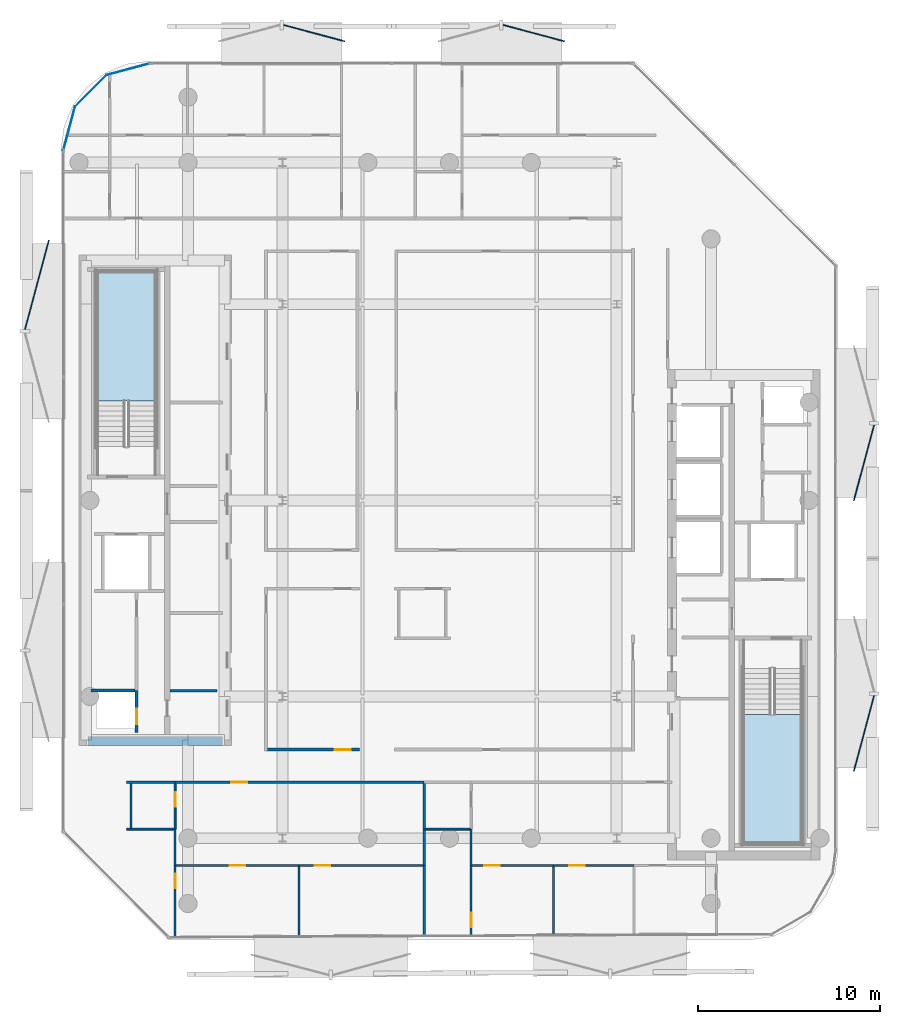
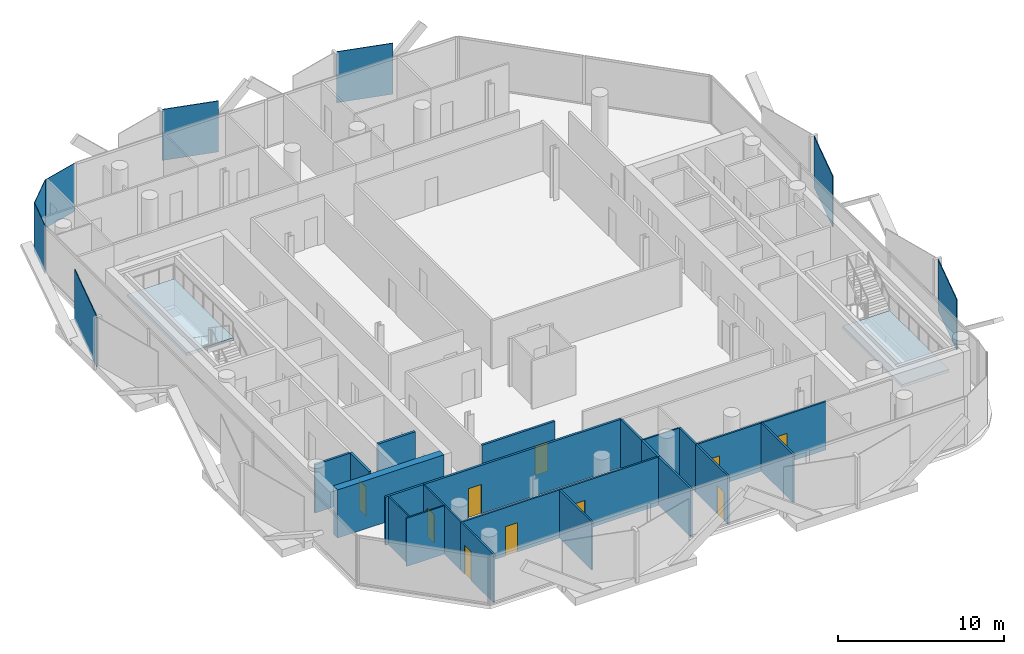
# One storey, part 4 of 15: 24 walls, 10 doors, 8 plates, 2 slabs, 10 openings, 2 elements without a shape of their own.
"""IFC4 building model written with IfcOpenShell, lengths in metres."""

from ifc_helpers import new_model, si_unit, direction, frame, frame_2d, origin, origin_2d, place, context, subcontext, project, spatial, polyline, rectangle, outline, extrude, material, layer, layer_set, type_object, element, fill, aggregate, save


model = new_model("IFC4")

# Units and contexts
model_context = context("Model", 3, precision=1e-05, world=origin(), true_north=direction((0.0, 1.0)))
body_context = subcontext(model_context, "Body", "Model", "MODEL_VIEW")
ifc_project = project(units=[si_unit("LENGTHUNIT", "METRE"), si_unit("AREAUNIT", "SQUARE_METRE"), si_unit("VOLUMEUNIT", "CUBIC_METRE"), si_unit("PLANEANGLEUNIT", "RADIAN"), si_unit("MASSUNIT", "GRAM", prefix="KILO")], contexts=[model_context])

# Site, building, storey
site_placement = place(None, origin())
site = spatial("IfcSite", under=ifc_project, at=site_placement, CompositionType="ELEMENT")
building_placement = place(site_placement, origin())
building = spatial("IfcBuilding", under=site, at=building_placement, Name="Khairoan Windgate Tower", CompositionType="ELEMENT")
storey_placement = place(building_placement, frame((0.0, 0.0, 285.199951171875)))
storey = spatial("IfcBuildingStorey", under=building, at=storey_placement, Name="L68", CompositionType="ELEMENT", Elevation=285.199951171875)

# Plates
ifc_material_1 = material(Name="Low-E Solar Control Laminated Glass", Category="glass")
ifc_layer_1 = layer(ifc_material_1, 0.030029296875, Name="Low-E Solar Control Laminated Glass")
ifc_layer_set_1 = layer_set([ifc_layer_1], Name="Low-E Solar Control Laminated Glass")
plate_type_1 = type_object("IfcPlateType", Name="Aerodynamic Wind-Corner Curved Glazing Plate", PredefinedType="USERDEFINED", material=ifc_layer_set_1)
plate_1_placement = place(storey_placement, frame((-20.940673828125, 20.485107421875, 0.0), z_axis=(0.0, 0.0, 1.0), x_axis=(0.258313252067, 0.966061211211, 0.0)))
element("IfcPlate", 1, at=plate_1_placement, inside=storey, type_object=plate_type_1, Name="L68 Aerodynamic Wind-Corner Curved Glazing Panel 4", ObjectType="GLAZING PANEL", PredefinedType="USERDEFINED", context=body_context, shape_type="SweptSolid", body=[
    extrude(rectangle(XDim=2.512451171875, YDim=0.035888671875, at=origin_2d()), origin(), (0.0, 0.0, 1.0), 3.5400390625),
])
plate_2_placement = place(storey_placement, frame((-19.750244140625, 22.55029296875, 0.0), z_axis=(0.0, 0.0, 1.0), x_axis=(0.707106781187, 0.707106781187, 0.0)))
element("IfcPlate", 2, at=plate_2_placement, inside=storey, type_object=plate_type_1, Name="L68 Aerodynamic Wind-Corner Curved Glazing Panel 5", ObjectType="GLAZING PANEL", PredefinedType="USERDEFINED", context=body_context, shape_type="SweptSolid", body=[
    extrude(rectangle(XDim=2.50341796875, YDim=0.035888671875, at=origin_2d()), origin(), (0.0, 0.0, 1.0), 3.5400390625),
])
plate_3_placement = place(storey_placement, frame((-17.68505859375, 23.740478515625, 0.0), z_axis=(0.0, 0.0, 1.0), x_axis=(0.966061211211, 0.258313252067, 0.0)))
element("IfcPlate", 3, at=plate_3_placement, inside=storey, type_object=plate_type_1, Name="L68 Aerodynamic Wind-Corner Curved Glazing Panel 6", ObjectType="GLAZING PANEL", PredefinedType="USERDEFINED", context=body_context, shape_type="SweptSolid", body=[
    extrude(rectangle(XDim=2.512451171875, YDim=0.035888671875, at=origin_2d()), origin(), (0.0, 0.0, 1.0), 3.5400390625),
])
ifc_material_2 = material(Name="Anodised Bronze Aluminium 6063-T6", Category="aluminium")
ifc_layer_2 = layer(ifc_material_2, 0.054931640625, Name="Anodised Bronze Aluminium 6063-T6")
ifc_layer_set_2 = layer_set([ifc_layer_2], Name="Anodised Bronze Aluminium 6063-T6")
plate_type_2 = type_object("IfcPlateType", Name="Perforated Bronze Solar Screen Upper Panel BSP-2", PredefinedType="USERDEFINED", material=ifc_layer_set_2)
plate_4_placement = place(storey_placement, frame((-22.720703125, 11.85791015625, -0.10009765625), z_axis=(0.0, 0.0, 1.0), x_axis=(0.258819045103, 0.965925826289, 0.0)))
element("IfcPlate", 4, at=plate_4_placement, inside=storey, type_object=plate_type_2, Name="L68 Perforated Bronze Solar Screen Panel 473R", ObjectType="SCREEN", PredefinedType="USERDEFINED", context=body_context, shape_type="SweptSolid", body=[
    extrude(rectangle(XDim=5.093994140625, YDim=0.054931640625, at=origin_2d()), origin(), (0.0, 0.0, 1.0), 3.739990234375),
])
for number, where, z_axis, x_axis, name in (
    (5, (-7.45849609375, 25.72607421875, -0.10009765625), (0.0, 0.0, 1.0), (0.965925826289, -0.258819045103, 0.0), "L68 Perforated Bronze Solar Screen Panel 474R"),
    (6, (4.637939453125, 25.72607421875, -0.10009765625), (0.0, 0.0, 1.0), (0.965925826289, -0.258819045103, 0.0), "L68 Perforated Bronze Solar Screen Panel 475R"),
):
    element("IfcPlate", number, at=place(storey_placement, frame(where, z_axis=z_axis, x_axis=x_axis)), inside=storey, type_object=plate_type_2, Name=name, ObjectType="SCREEN", PredefinedType="USERDEFINED", context=body_context, shape_type="SweptSolid", body=[
        extrude(rectangle(XDim=3.508056640625, YDim=0.054931640625, at=origin_2d()), origin(), (0.0, 0.0, 1.0), 3.739990234375),
    ])
for number, where, z_axis, x_axis, name in (
    (7, (22.821044921875, 2.077392578125, -0.10009765625), (0.0, 0.0, 1.0), (-0.258819045103, -0.965925826289, 0.0), "L68 Perforated Bronze Solar Screen Panel 476R"),
    (8, (22.821044921875, -12.819091796875, -0.10009765625), (0.0, 0.0, 1.0), (-0.258819045103, -0.965925826289, 0.0), "L68 Perforated Bronze Solar Screen Panel 477R"),
):
    element("IfcPlate", number, at=place(storey_placement, frame(where, z_axis=z_axis, x_axis=x_axis)), inside=storey, type_object=plate_type_2, Name=name, ObjectType="SCREEN", PredefinedType="USERDEFINED", context=body_context, shape_type="SweptSolid", body=[
        extrude(rectangle(XDim=4.320068359375, YDim=0.054931640625, at=origin_2d()), origin(), (0.0, 0.0, 1.0), 3.739990234375),
    ])

# Stair, slab
ifc_material_3 = material(Name="Concrete C40/50", Category="concrete")
stair_type = type_object("IfcStairType", Name="Tower Core Dog-Leg Stair ST-T1 1560mm", PredefinedType="HALF_TURN_STAIR", material=ifc_material_3)
stair_1_placement = place(storey_placement, origin())
stair_1 = element("IfcStair", 9, at=stair_1_placement, inside=storey, type_object=stair_type, Name="L68 Stair ST1", PredefinedType="HALF_TURN_STAIR")
ifc_material_4 = material(Name="Concrete C40/50", Category="concrete")
ifc_layer_3 = layer(ifc_material_4, 0.199951171875, Name="Concrete C40/50")
ifc_layer_set_3 = layer_set([ifc_layer_3], Name="Concrete C40/50")
slab_type = type_object("IfcSlabType", Name="Reinforced Concrete Stair Landing Slab STL-200", PredefinedType="LANDING", material=ifc_layer_set_3)
slab_1_placement = place(storey_placement, frame((0.0, 0.0, 1.699951171875)))
slab_1 = element("IfcSlab", 10, at=slab_1_placement, type_object=slab_type, Name="ST1 landing 1", PredefinedType="LANDING", context=body_context, shape_type="SweptSolid", body=[
    extrude(outline(polyline([(16.14990234375, -11.780029296875), (16.14990234375, -18.89990234375), (19.419921875, -18.89990234375), (19.419921875, -11.780029296875), (16.14990234375, -11.780029296875)])), origin(), (0.0, 0.0, 1.0), 0.2001953125),
])
aggregate(stair_1, [slab_1])

stair_2_placement = place(storey_placement, origin())
stair_2 = element("IfcStair", 11, at=stair_2_placement, inside=storey, type_object=stair_type, Name="L68 Stair ST2", PredefinedType="HALF_TURN_STAIR")
slab_2_placement = place(storey_placement, frame((0.0, 0.0, 1.699951171875)))
slab_2 = element("IfcSlab", 12, at=slab_2_placement, type_object=slab_type, Name="ST2 landing 1", PredefinedType="LANDING", context=body_context, shape_type="SweptSolid", body=[
    extrude(outline(polyline([(-16.14990234375, 5.47998046875), (-16.14990234375, 12.60009765625), (-19.419921875, 12.60009765625), (-19.419921875, 5.47998046875), (-16.14990234375, 5.47998046875)])), origin(), (0.0, 0.0, 1.0), 0.2001953125),
])
aggregate(stair_2, [slab_2])

# Wall
ifc_material_5 = material(Name="Moisture-Resistant Gypsum Partition", Category="gypsum")
ifc_layer_4 = layer(ifc_material_5, 0.10009765625, Name="Moisture-Resistant Gypsum Partition")
ifc_layer_set_4 = layer_set([ifc_layer_4], Name="Moisture-Resistant Gypsum Partition")
wall_type_1 = type_object("IfcWallType", Name="Bathroom Wet-Area Partition Wall", PredefinedType="PARTITIONING", material=ifc_layer_set_4)
wall_1_placement = place(storey_placement, frame((-17.780029296875, -18.10009765625, 0.0), z_axis=(0.0, 0.0, 1.0), x_axis=(1.0, 0.0, 0.0)))
element("IfcWall", 13, at=wall_1_placement, inside=storey, type_object=wall_type_1, Name="L68 Interior Partition 056", PredefinedType="PARTITIONING", context=body_context, shape_type="SweptSolid", body=[
    extrude(rectangle(XDim=2.6201171875, YDim=0.10009765625, at=frame_2d((1.31005859375, 0.0))), origin(), (0.0, 0.0, 1.0), 3.5400390625),
])

# Wall, opening, door
wall_2_placement = place(storey_placement, frame((-15.110107421875, -18.10009765625, 0.0), z_axis=(0.0, 0.0, 1.0), x_axis=(0.0, 1.0, 0.0)))
wall_2 = element("IfcWall", 14, at=wall_2_placement, inside=storey, type_object=wall_type_1, Name="L68 Interior Partition 057", PredefinedType="PARTITIONING", context=body_context, shape_type="SweptSolid", body=[
    extrude(rectangle(XDim=2.5, YDim=0.10009765625, at=frame_2d((1.25, 0.0))), origin(), (0.0, 0.0, 1.0), 3.5400390625),
])
opening_1_placement = place(wall_2_placement, frame((1.239990234375, 0.0, 0.0)))
opening_1 = element("IfcOpeningElement", 15, at=opening_1_placement, cuts=wall_2, Name="Opening ID-BTH", PredefinedType="OPENING", context=body_context, shape_type="SweptSolid", body=[
    extrude(rectangle(XDim=0.800048828125, YDim=2.10009765625, at=frame_2d((0.39990234375, 1.050048828125))), frame((0.0, 0.06005859375, 0.0), z_axis=(0.0, -1.0, 0.0), x_axis=(1.0, 0.0, 0.0)), (0.0, 0.0, 1.0), 0.1201171875),
])
ifc_material_6 = material(Name="Teak Veneer Timber Leaf", Category="wood")
door_type_1 = type_object("IfcDoorType", Name="Internal Bathroom Door ID-BTH 800x2100", OperationType="NOTDEFINED", PredefinedType="DOOR", material=ifc_material_6)
door_1_placement = place(opening_1_placement, origin())
door_1 = element("IfcDoor", 16, at=door_1_placement, inside=storey, type_object=door_type_1, Name="L68 L68-45-L68-47 Door", OperationType="SINGLE_SWING_RIGHT", OverallHeight=2.10009765625, OverallWidth=0.800048828125, PredefinedType="DOOR", context=body_context, shape_type="SweptSolid", body=[
    extrude(rectangle(XDim=0.800048828125, YDim=2.10009765625, at=frame_2d((0.39990234375, 1.050048828125))), frame((0.0, 0.02490234375, 0.0), z_axis=(0.0, -1.0, 0.0), x_axis=(1.0, 0.0, 0.0)), (0.0, 0.0, 1.0), 0.050048828125),
])
fill(opening_1, door_1)

# Walls
wall_3_placement = place(storey_placement, frame((-1.330078125, -18.10009765625, 0.0), z_axis=(0.0, 0.0, 1.0), x_axis=(1.0, 0.0, 0.0)))
element("IfcWall", 17, at=wall_3_placement, inside=storey, type_object=wall_type_1, Name="L68 Interior Partition 066", PredefinedType="PARTITIONING", context=body_context, shape_type="SweptSolid", body=[
    extrude(rectangle(XDim=2.469970703125, YDim=0.10009765625, at=frame_2d((1.23486328125, 0.0))), origin(), (0.0, 0.0, 1.0), 3.5400390625),
])
wall_4_placement = place(storey_placement, frame((-17.5400390625, -18.050048828125, 0.0), z_axis=(0.0, 0.0, 1.0), x_axis=(0.0, 1.0, 0.0)))
element("IfcWall", 18, at=wall_4_placement, inside=storey, type_object=wall_type_1, Name="L68 Wet Room Side Wall 078", PredefinedType="PARTITIONING", context=body_context, shape_type="SweptSolid", body=[
    extrude(rectangle(XDim=2.449951171875, YDim=0.10009765625, at=frame_2d((1.22509765625, 0.0))), origin(), (0.0, 0.0, 1.0), 3.5400390625),
])
ifc_material_7 = material(Name="Concrete C40/50", Category="concrete")
ifc_layer_5 = layer(ifc_material_7, 0.159912109375, Name="Concrete C40/50")
ifc_layer_set_5 = layer_set([ifc_layer_5], Name="Concrete C40/50")
wall_type_2 = type_object("IfcWallType", Name="Core and Hoistway Enclosure Wall", PredefinedType="STANDARD", material=ifc_layer_set_5)
wall_5_placement = place(storey_placement, frame((-15.39990234375, -10.47998046875, 0.0), z_axis=(0.0, 0.0, 1.0), x_axis=(1.0, 0.0, 0.0)))
element("IfcWall", 19, at=wall_5_placement, inside=storey, type_object=wall_type_2, Name="L68 Core Shaft Wall SW-WSV-L68", PredefinedType="STANDARD", context=body_context, shape_type="SweptSolid", body=[
    extrude(rectangle(XDim=2.599853515625, YDim=0.159912109375, at=frame_2d((1.2998046875, 0.0))), origin(), (0.0, 0.0, 1.0), 3.5400390625),
])
ifc_material_8 = material(Name="Acoustic Fire-Rated Gypsum Partition", Category="gypsum")
ifc_layer_6 = layer(ifc_material_8, 0.139892578125, Name="Acoustic Fire-Rated Gypsum Partition")
ifc_layer_set_6 = layer_set([ifc_layer_6], Name="Acoustic Fire-Rated Gypsum Partition")
wall_type_3 = type_object("IfcWallType", Name="Inter-Tenancy Compartment Wall", PredefinedType="PARTITIONING", material=ifc_layer_set_6)
wall_6_placement = place(storey_placement, frame((-1.39990234375, -18.10009765625, 0.0), z_axis=(0.0, 0.0, 1.0), x_axis=(0.0, 1.0, 0.0)))
element("IfcWall", 20, at=wall_6_placement, inside=storey, type_object=wall_type_3, Name="L68 Interior Partition 062", PredefinedType="PARTITIONING", context=body_context, shape_type="SweptSolid", body=[
    extrude(rectangle(XDim=2.5, YDim=0.139892578125, at=frame_2d((1.25, 0.0))), origin(), (0.0, 0.0, 1.0), 3.5400390625),
])
wall_7_placement = place(storey_placement, frame((-1.39990234375, -20.10009765625, 0.0), z_axis=(0.0, 0.0, 1.0), x_axis=(0.0, 1.0, 0.0)))
element("IfcWall", 21, at=wall_7_placement, inside=storey, type_object=wall_type_3, Name="L68 Interior Partition 063", PredefinedType="PARTITIONING", context=body_context, shape_type="SweptSolid", body=[
    extrude(rectangle(XDim=2.0, YDim=0.139892578125, at=frame_2d((1.0, 0.0))), origin(), (0.0, 0.0, 1.0), 3.5400390625),
])
wall_8_placement = place(storey_placement, frame((-1.39990234375, -23.98583984375, 0.0), z_axis=(0.0, 0.0, 1.0), x_axis=(0.0, 1.0, 0.0)))
element("IfcWall", 22, at=wall_8_placement, inside=storey, type_object=wall_type_3, Name="L68 Interior Partition 065", PredefinedType="PARTITIONING", context=body_context, shape_type="SweptSolid", body=[
    extrude(rectangle(XDim=3.8857421875, YDim=0.139892578125, at=frame_2d((1.94287109375, 0.0))), origin(), (0.0, 0.0, 1.0), 3.5400390625),
])
ifc_material_9 = material(Name="Gypsum Stud Partition", Category="gypsum")
ifc_layer_7 = layer(ifc_material_9, 0.1201171875, Name="Gypsum Stud Partition")
ifc_layer_set_7 = layer_set([ifc_layer_7], Name="Gypsum Stud Partition")
wall_type_4 = type_object("IfcWallType", Name="Internal Room Partition Wall", PredefinedType="PARTITIONING", material=ifc_layer_set_7)
wall_9_placement = place(storey_placement, frame((-15.110107421875, -20.10009765625, 0.0), z_axis=(0.0, 0.0, 1.0), x_axis=(0.0, 1.0, 0.0)))
element("IfcWall", 23, at=wall_9_placement, inside=storey, type_object=wall_type_4, Name="L68 Interior Partition 058", PredefinedType="PARTITIONING", context=body_context, shape_type="SweptSolid", body=[
    extrude(rectangle(XDim=2.0, YDim=0.1201171875, at=frame_2d((1.0, 0.0))), origin(), (0.0, 0.0, 1.0), 3.5400390625),
])

# Wall, opening, door
wall_10_placement = place(storey_placement, frame((-15.110107421875, -24.053466796875, 0.0), z_axis=(0.0, 0.0, 1.0), x_axis=(0.0, 1.0, 0.0)))
wall_10 = element("IfcWall", 24, at=wall_10_placement, inside=storey, type_object=wall_type_4, Name="L68 Interior Partition 059", PredefinedType="PARTITIONING", context=body_context, shape_type="SweptSolid", body=[
    extrude(rectangle(XDim=3.953369140625, YDim=0.1201171875, at=frame_2d((1.9765625, 0.0))), origin(), (0.0, 0.0, 1.0), 3.5400390625),
])
opening_2_placement = place(wall_10_placement, frame((2.693359375, 0.0, 0.0)))
opening_2 = element("IfcOpeningElement", 25, at=opening_2_placement, cuts=wall_10, Name="Opening ID-BTH", PredefinedType="OPENING", context=body_context, shape_type="SweptSolid", body=[
    extrude(rectangle(XDim=0.800048828125, YDim=2.10009765625, at=frame_2d((0.39990234375, 1.050048828125))), frame((0.0, 0.070068359375, 0.0), z_axis=(0.0, -1.0, 0.0), x_axis=(1.0, 0.0, 0.0)), (0.0, 0.0, 1.0), 0.14013671875),
])
door_2_placement = place(opening_2_placement, origin())
door_2 = element("IfcDoor", 26, at=door_2_placement, inside=storey, type_object=door_type_1, Name="L68 L68-46-L68-48 Door", OperationType="SINGLE_SWING_RIGHT", OverallHeight=2.10009765625, OverallWidth=0.800048828125, PredefinedType="DOOR", context=body_context, shape_type="SweptSolid", body=[
    extrude(rectangle(XDim=0.800048828125, YDim=2.10009765625, at=frame_2d((0.39990234375, 1.050048828125))), frame((0.0, 0.02490234375, 0.0), z_axis=(0.0, -1.0, 0.0), x_axis=(1.0, 0.0, 0.0)), (0.0, 0.0, 1.0), 0.050048828125),
])
fill(opening_2, door_2)

wall_11_placement = place(storey_placement, frame((-15.050048828125, -20.10009765625, 0.0), z_axis=(0.0, 0.0, 1.0), x_axis=(1.0, 0.0, 0.0)))
wall_11 = element("IfcWall", 27, at=wall_11_placement, inside=storey, type_object=wall_type_4, Name="L68 Interior Partition 060", PredefinedType="PARTITIONING", context=body_context, shape_type="SweptSolid", body=[
    extrude(rectangle(XDim=6.755126953125, YDim=0.1201171875, at=frame_2d((3.37744140625, 0.0))), origin(), (0.0, 0.0, 1.0), 3.5400390625),
])
opening_3_placement = place(wall_11_placement, frame((2.947509765625, 0.0, 0.0)))
opening_3 = element("IfcOpeningElement", 28, at=opening_3_placement, cuts=wall_11, Name="Opening ID-RM", PredefinedType="OPENING", context=body_context, shape_type="SweptSolid", body=[
    extrude(rectangle(XDim=0.860107421875, YDim=2.14990234375, at=frame_2d((0.43017578125, 1.074951171875))), frame((0.0, 0.070068359375, 0.0), z_axis=(0.0, -1.0, 0.0), x_axis=(1.0, 0.0, 0.0)), (0.0, 0.0, 1.0), 0.14013671875),
])
ifc_material_10 = material(Name="Teak Veneer Timber Leaf", Category="wood")
door_type_2 = type_object("IfcDoorType", Name="Internal Bedroom and Office Door ID-RM 860x2150", OperationType="NOTDEFINED", PredefinedType="DOOR", material=ifc_material_10)
door_3_placement = place(opening_3_placement, origin())
door_3 = element("IfcDoor", 29, at=door_3_placement, inside=storey, type_object=door_type_2, Name="L68 L68-47-L68-48 Door", OperationType="SINGLE_SWING_RIGHT", OverallHeight=2.14990234375, OverallWidth=0.860107421875, PredefinedType="DOOR", context=body_context, shape_type="SweptSolid", body=[
    extrude(rectangle(XDim=0.860107421875, YDim=2.14990234375, at=frame_2d((0.43017578125, 1.074951171875))), frame((0.0, 0.02490234375, 0.0), z_axis=(0.0, -1.0, 0.0), x_axis=(1.0, 0.0, 0.0)), (0.0, 0.0, 1.0), 0.050048828125),
])
fill(opening_3, door_3)

wall_12_placement = place(storey_placement, frame((-8.294921875, -20.10009765625, 0.0), z_axis=(0.0, 0.0, 1.0), x_axis=(1.0, 0.0, 0.0)))
wall_12 = element("IfcWall", 30, at=wall_12_placement, inside=storey, type_object=wall_type_4, Name="L68 Interior Partition 061", PredefinedType="PARTITIONING", context=body_context, shape_type="SweptSolid", body=[
    extrude(rectangle(XDim=6.824951171875, YDim=0.1201171875, at=frame_2d((3.41259765625, 0.0))), origin(), (0.0, 0.0, 1.0), 3.5400390625),
])
opening_4_placement = place(wall_12_placement, frame((0.863525390625, 0.0, 0.0)))
opening_4 = element("IfcOpeningElement", 31, at=opening_4_placement, cuts=wall_12, Name="Opening ID-RM", PredefinedType="OPENING", context=body_context, shape_type="SweptSolid", body=[
    extrude(rectangle(XDim=0.860107421875, YDim=2.14990234375, at=frame_2d((0.43017578125, 1.074951171875))), frame((0.0, 0.070068359375, 0.0), z_axis=(0.0, -1.0, 0.0), x_axis=(1.0, 0.0, 0.0)), (0.0, 0.0, 1.0), 0.14013671875),
])
door_4_placement = place(opening_4_placement, origin())
door_4 = element("IfcDoor", 32, at=door_4_placement, inside=storey, type_object=door_type_2, Name="L68 L68-47-L68-49 Door", OperationType="SINGLE_SWING_LEFT", OverallHeight=2.14990234375, OverallWidth=0.860107421875, PredefinedType="DOOR", context=body_context, shape_type="SweptSolid", body=[
    extrude(rectangle(XDim=0.860107421875, YDim=2.14990234375, at=frame_2d((0.43017578125, 1.074951171875))), frame((0.0, 0.02490234375, 0.0), z_axis=(0.0, -1.0, 0.0), x_axis=(1.0, 0.0, 0.0)), (0.0, 0.0, 1.0), 0.050048828125),
])
fill(opening_4, door_4)

# Walls
wall_13_placement = place(storey_placement, frame((-8.294921875, -24.019775390625, 0.0), z_axis=(0.0, 0.0, 1.0), x_axis=(0.0, 1.0, 0.0)))
element("IfcWall", 33, at=wall_13_placement, inside=storey, type_object=wall_type_4, Name="L68 Interior Partition 064", PredefinedType="PARTITIONING", context=body_context, shape_type="SweptSolid", body=[
    extrude(rectangle(XDim=3.85986328125, YDim=0.1201171875, at=frame_2d((1.929931640625, 0.0))), origin(), (0.0, 0.0, 1.0), 3.5400390625),
])
wall_14_placement = place(storey_placement, frame((1.18994140625, -20.10009765625, 0.0), z_axis=(0.0, 0.0, 1.0), x_axis=(0.0, 1.0, 0.0)))
element("IfcWall", 34, at=wall_14_placement, inside=storey, type_object=wall_type_4, Name="L68 Interior Partition 068", PredefinedType="PARTITIONING", context=body_context, shape_type="SweptSolid", body=[
    extrude(rectangle(XDim=2.0, YDim=0.1201171875, at=frame_2d((1.0, 0.0))), origin(), (0.0, 0.0, 1.0), 3.5400390625),
])

# Wall, opening, door
wall_15_placement = place(storey_placement, frame((1.18994140625, -23.97314453125, 0.0), z_axis=(0.0, 0.0, 1.0), x_axis=(0.0, 1.0, 0.0)))
wall_15 = element("IfcWall", 35, at=wall_15_placement, inside=storey, type_object=wall_type_4, Name="L68 Interior Partition 069", PredefinedType="PARTITIONING", context=body_context, shape_type="SweptSolid", body=[
    extrude(rectangle(XDim=3.873046875, YDim=0.1201171875, at=frame_2d((1.9365234375, 0.0))), origin(), (0.0, 0.0, 1.0), 3.5400390625),
])
opening_5_placement = place(wall_15_placement, frame((0.4599609375, 0.0, 0.0)))
opening_5 = element("IfcOpeningElement", 36, at=opening_5_placement, cuts=wall_15, Name="Opening ID-BTH", PredefinedType="OPENING", context=body_context, shape_type="SweptSolid", body=[
    extrude(rectangle(XDim=0.800048828125, YDim=2.10009765625, at=frame_2d((0.39990234375, 1.050048828125))), frame((0.0, 0.070068359375, 0.0), z_axis=(0.0, -1.0, 0.0), x_axis=(1.0, 0.0, 0.0)), (0.0, 0.0, 1.0), 0.14013671875),
])
door_5_placement = place(opening_5_placement, origin())
door_5 = element("IfcDoor", 37, at=door_5_placement, inside=storey, type_object=door_type_1, Name="L68 L68-51-L68-54 Door", OperationType="SINGLE_SWING_LEFT", OverallHeight=2.10009765625, OverallWidth=0.800048828125, PredefinedType="DOOR", context=body_context, shape_type="SweptSolid", body=[
    extrude(rectangle(XDim=0.800048828125, YDim=2.10009765625, at=frame_2d((0.39990234375, 1.050048828125))), frame((0.0, 0.02490234375, 0.0), z_axis=(0.0, -1.0, 0.0), x_axis=(1.0, 0.0, 0.0)), (0.0, 0.0, 1.0), 0.050048828125),
])
fill(opening_5, door_5)

wall_16_placement = place(storey_placement, frame((1.25, -20.10009765625, 0.0), z_axis=(0.0, 0.0, 1.0), x_axis=(1.0, 0.0, 0.0)))
wall_16 = element("IfcWall", 38, at=wall_16_placement, inside=storey, type_object=wall_type_4, Name="L68 Interior Partition 070", PredefinedType="PARTITIONING", context=body_context, shape_type="SweptSolid", body=[
    extrude(rectangle(XDim=4.467041015625, YDim=0.1201171875, at=frame_2d((2.2333984375, 0.0))), origin(), (0.0, 0.0, 1.0), 3.5400390625),
])
opening_6_placement = place(wall_16_placement, frame((0.666748046875, 0.0, 0.0)))
opening_6 = element("IfcOpeningElement", 39, at=opening_6_placement, cuts=wall_16, Name="Opening ID-RM", PredefinedType="OPENING", context=body_context, shape_type="SweptSolid", body=[
    extrude(rectangle(XDim=0.860107421875, YDim=2.14990234375, at=frame_2d((0.43017578125, 1.074951171875))), frame((0.0, 0.070068359375, 0.0), z_axis=(0.0, -1.0, 0.0), x_axis=(1.0, 0.0, 0.0)), (0.0, 0.0, 1.0), 0.14013671875),
])
door_6_placement = place(opening_6_placement, origin())
door_6 = element("IfcDoor", 40, at=door_6_placement, inside=storey, type_object=door_type_2, Name="L68 L68-52-L68-54 Door", OperationType="SINGLE_SWING_RIGHT", OverallHeight=2.14990234375, OverallWidth=0.860107421875, PredefinedType="DOOR", context=body_context, shape_type="SweptSolid", body=[
    extrude(rectangle(XDim=0.860107421875, YDim=2.14990234375, at=frame_2d((0.43017578125, 1.074951171875))), frame((0.0, 0.02490234375, 0.0), z_axis=(0.0, -1.0, 0.0), x_axis=(1.0, 0.0, 0.0)), (0.0, 0.0, 1.0), 0.050048828125),
])
fill(opening_6, door_6)

wall_17_placement = place(storey_placement, frame((5.717041015625, -20.10009765625, 0.0), z_axis=(0.0, 0.0, 1.0), x_axis=(1.0, 0.0, 0.0)))
wall_17 = element("IfcWall", 41, at=wall_17_placement, inside=storey, type_object=wall_type_4, Name="L68 Interior Partition 071", PredefinedType="PARTITIONING", context=body_context, shape_type="SweptSolid", body=[
    extrude(rectangle(XDim=4.446044921875, YDim=0.1201171875, at=frame_2d((2.22314453125, 0.0))), origin(), (0.0, 0.0, 1.0), 3.5400390625),
])
opening_7_placement = place(wall_17_placement, frame((0.8701171875, 0.0, 0.0)))
opening_7 = element("IfcOpeningElement", 42, at=opening_7_placement, cuts=wall_17, Name="Opening ID-RM", PredefinedType="OPENING", context=body_context, shape_type="SweptSolid", body=[
    extrude(rectangle(XDim=0.860107421875, YDim=2.14990234375, at=frame_2d((0.43017578125, 1.074951171875))), frame((0.0, 0.070068359375, 0.0), z_axis=(0.0, -1.0, 0.0), x_axis=(1.0, 0.0, 0.0)), (0.0, 0.0, 1.0), 0.14013671875),
])
door_7_placement = place(opening_7_placement, origin())
door_7 = element("IfcDoor", 43, at=door_7_placement, inside=storey, type_object=door_type_2, Name="L68 L68-52-L68-55 Door", OperationType="SINGLE_SWING_LEFT", OverallHeight=2.14990234375, OverallWidth=0.860107421875, PredefinedType="DOOR", context=body_context, shape_type="SweptSolid", body=[
    extrude(rectangle(XDim=0.860107421875, YDim=2.14990234375, at=frame_2d((0.43017578125, 1.074951171875))), frame((0.0, 0.02490234375, 0.0), z_axis=(0.0, -1.0, 0.0), x_axis=(1.0, 0.0, 0.0)), (0.0, 0.0, 1.0), 0.050048828125),
])
fill(opening_7, door_7)

# Wall
wall_18_placement = place(storey_placement, frame((5.717041015625, -23.95068359375, 0.0), z_axis=(0.0, 0.0, 1.0), x_axis=(0.0, 1.0, 0.0)))
element("IfcWall", 44, at=wall_18_placement, inside=storey, type_object=wall_type_4, Name="L68 Interior Partition 074", PredefinedType="PARTITIONING", context=body_context, shape_type="SweptSolid", body=[
    extrude(rectangle(XDim=3.790771484375, YDim=0.1201171875, at=frame_2d((1.8955078125, 0.0))), origin(), (0.0, 0.0, 1.0), 3.5400390625),
])

# Wall, opening, door
ifc_material_11 = material(Name="Concrete C40/50", Category="concrete")
ifc_layer_8 = layer(ifc_material_11, 0.159912109375, Name="Concrete C40/50")
ifc_layer_set_8 = layer_set([ifc_layer_8], Name="Concrete C40/50")
wall_type_5 = type_object("IfcWallType", Name="Plant and Refuge Compartment Wall", PredefinedType="PARTITIONING", material=ifc_layer_set_8)
wall_19_placement = place(storey_placement, frame((-17.22998046875, -12.7900390625, 0.0), z_axis=(0.0, 0.0, 1.0), x_axis=(0.0, 1.0, 0.0)))
wall_19 = element("IfcWall", 45, at=wall_19_placement, inside=storey, type_object=wall_type_5, Name="L68 Interior Partition 001", PredefinedType="PARTITIONING", context=body_context, shape_type="SweptSolid", body=[
    extrude(rectangle(XDim=2.320068359375, YDim=0.159912109375, at=frame_2d((1.16015625, 0.0))), origin(), (0.0, 0.0, 1.0), 3.5400390625),
])
opening_8_placement = place(wall_19_placement, frame((0.4599609375, 0.0, 0.0)))
opening_8 = element("IfcOpeningElement", 46, at=opening_8_placement, cuts=wall_19, Name="Opening FD-SRV", PredefinedType="OPENING", context=body_context, shape_type="SweptSolid", body=[
    extrude(rectangle(XDim=0.85009765625, YDim=2.10009765625, at=frame_2d((0.425048828125, 1.050048828125))), frame((0.0, 0.08984375, 0.0), z_axis=(0.0, -1.0, 0.0), x_axis=(1.0, 0.0, 0.0)), (0.0, 0.0, 1.0), 0.179931640625),
])
ifc_material_12 = material(Name="Steel S355", Category="steel")
door_type_3 = type_object("IfcDoorType", Name="Core Service and Riser Fire Door FD-SRV 850x2100", OperationType="NOTDEFINED", PredefinedType="DOOR", material=ifc_material_12)
door_8_placement = place(opening_8_placement, origin())
door_8 = element("IfcDoor", 47, at=door_8_placement, inside=storey, type_object=door_type_3, Name="L68 L68-04-L68-05 Door", OperationType="SINGLE_SWING_RIGHT", OverallHeight=2.10009765625, OverallWidth=0.85009765625, PredefinedType="DOOR", context=body_context, shape_type="SweptSolid", body=[
    extrude(rectangle(XDim=0.85009765625, YDim=2.10009765625, at=frame_2d((0.425048828125, 1.050048828125))), frame((0.0, 0.02490234375, 0.0), z_axis=(0.0, -1.0, 0.0), x_axis=(1.0, 0.0, 0.0)), (0.0, 0.0, 1.0), 0.050048828125),
])
fill(opening_8, door_8)

# Walls
wall_20_placement = place(storey_placement, frame((-19.75, -10.469970703125, 0.0), z_axis=(0.0, 0.0, 1.0), x_axis=(1.0, 0.0, 0.0)))
element("IfcWall", 48, at=wall_20_placement, inside=storey, type_object=wall_type_5, Name="L68 Interior Partition 003", PredefinedType="PARTITIONING", context=body_context, shape_type="SweptSolid", body=[
    extrude(rectangle(XDim=2.43994140625, YDim=0.159912109375, at=frame_2d((1.219970703125, 0.0))), origin(), (0.0, 0.0, 1.0), 3.5400390625),
])
ifc_material_13 = material(Name="Acoustic Fire-Rated Gypsum Partition", Category="gypsum")
ifc_layer_9 = layer(ifc_material_13, 0.14990234375, Name="Acoustic Fire-Rated Gypsum Partition")
ifc_layer_set_9 = layer_set([ifc_layer_9], Name="Acoustic Fire-Rated Gypsum Partition")
wall_type_6 = type_object("IfcWallType", Name="Rated Corridor Partition Wall", PredefinedType="PARTITIONING", material=ifc_layer_set_9)
wall_21_placement = place(storey_placement, frame((-17.780029296875, -15.52490234375, 0.0), z_axis=(0.0, 0.0, 1.0), x_axis=(1.0, 0.0, 0.0)))
element("IfcWall", 49, at=wall_21_placement, inside=storey, type_object=wall_type_6, Name="L68 Interior Partition 030", PredefinedType="PARTITIONING", context=body_context, shape_type="SweptSolid", body=[
    extrude(rectangle(XDim=2.669921875, YDim=0.14990234375, at=frame_2d((1.3349609375, 0.0))), origin(), (0.0, 0.0, 1.0), 3.5400390625),
])

# Wall, opening, door
wall_22_placement = place(storey_placement, frame((-15.110107421875, -15.52490234375, 0.0), z_axis=(0.0, 0.0, 1.0), x_axis=(1.0, 0.0, 0.0)))
wall_22 = element("IfcWall", 50, at=wall_22_placement, inside=storey, type_object=wall_type_6, Name="L68 Interior Partition 031", PredefinedType="PARTITIONING", context=body_context, shape_type="SweptSolid", body=[
    extrude(rectangle(XDim=13.710205078125, YDim=0.14990234375, at=frame_2d((6.85498046875, 0.0))), origin(), (0.0, 0.0, 1.0), 3.5400390625),
])
opening_9_placement = place(wall_22_placement, frame((3.079833984375, 0.0, 0.0)))
opening_9 = element("IfcOpeningElement", 51, at=opening_9_placement, cuts=wall_22, Name="Opening FD-ENT", PredefinedType="OPENING", context=body_context, shape_type="SweptSolid", body=[
    extrude(rectangle(XDim=0.89990234375, YDim=2.14990234375, at=frame_2d((0.449951171875, 1.074951171875))), frame((0.0, 0.0849609375, 0.0), z_axis=(0.0, -1.0, 0.0), x_axis=(1.0, 0.0, 0.0)), (0.0, 0.0, 1.0), 0.169921875),
])
ifc_material_14 = material(Name="Timber Fire-Rated Core", Category="wood")
door_type_4 = type_object("IfcDoorType", Name="Unit and Office Fire Entrance Door FD-ENT 900x2150", OperationType="NOTDEFINED", PredefinedType="DOOR", material=ifc_material_14)
door_9_placement = place(opening_9_placement, origin())
door_9 = element("IfcDoor", 52, at=door_9_placement, inside=storey, type_object=door_type_4, Name="L68 L68-32-L68-47 Door", OperationType="SINGLE_SWING_RIGHT", OverallHeight=2.14990234375, OverallWidth=0.89990234375, PredefinedType="DOOR", context=body_context, shape_type="SweptSolid", body=[
    extrude(rectangle(XDim=0.89990234375, YDim=2.14990234375, at=frame_2d((0.449951171875, 1.074951171875))), frame((0.0, 0.02490234375, 0.0), z_axis=(0.0, -1.0, 0.0), x_axis=(1.0, 0.0, 0.0)), (0.0, 0.0, 1.0), 0.050048828125),
])
fill(opening_9, door_9)

wall_23_placement = place(storey_placement, frame((-10.02490234375, -13.719970703125, 0.0), z_axis=(0.0, 0.0, 1.0), x_axis=(1.0, 0.0, 0.0)))
wall_23 = element("IfcWall", 53, at=wall_23_placement, inside=storey, type_object=wall_type_6, Name="L68 Interior Partition 034", PredefinedType="PARTITIONING", context=body_context, shape_type="SweptSolid", body=[
    extrude(rectangle(XDim=5.054931640625, YDim=0.14990234375, at=frame_2d((2.52734375, 0.0))), origin(), (0.0, 0.0, 1.0), 3.5400390625),
])
opening_10_placement = place(wall_23_placement, frame((3.695068359375, 0.0, 0.0)))
opening_10 = element("IfcOpeningElement", 54, at=opening_10_placement, cuts=wall_23, Name="Opening FD-ENT", PredefinedType="OPENING", context=body_context, shape_type="SweptSolid", body=[
    extrude(rectangle(XDim=0.89990234375, YDim=2.14990234375, at=frame_2d((0.449951171875, 1.074951171875))), frame((0.0, 0.0849609375, 0.0), z_axis=(0.0, -1.0, 0.0), x_axis=(1.0, 0.0, 0.0)), (0.0, 0.0, 1.0), 0.169921875),
])
door_10_placement = place(opening_10_placement, origin())
door_10 = element("IfcDoor", 55, at=door_10_placement, inside=storey, type_object=door_type_4, Name="L68 L68-32-L68-59 Door", OperationType="SINGLE_SWING_RIGHT", OverallHeight=2.14990234375, OverallWidth=0.89990234375, PredefinedType="DOOR", context=body_context, shape_type="SweptSolid", body=[
    extrude(rectangle(XDim=0.89990234375, YDim=2.14990234375, at=frame_2d((0.449951171875, 1.074951171875))), frame((0.0, 0.02490234375, 0.0), z_axis=(0.0, -1.0, 0.0), x_axis=(1.0, 0.0, 0.0)), (0.0, 0.0, 1.0), 0.050048828125),
])
fill(opening_10, door_10)

# Wall
ifc_material_15 = material(Name="Concrete C50/60", Category="concrete")
ifc_layer_10 = layer(ifc_material_15, 0.5, Name="Concrete C50/60")
ifc_layer_set_10 = layer_set([ifc_layer_10], Name="Concrete C50/60")
wall_type_7 = type_object("IfcWallType", Name="Shear Wall CW-W3 500mm", PredefinedType="SHEAR", material=ifc_layer_set_10)
wall_24_placement = place(storey_placement, frame((-19.89990234375, -13.25, 0.0), z_axis=(0.0, 0.0, 1.0), x_axis=(1.0, 0.0, 0.0)))
element("IfcWall", 56, at=wall_24_placement, inside=storey, type_object=wall_type_7, Name="W Core South Shear Wall L68", PredefinedType="SHEAR", context=body_context, shape_type="SweptSolid", body=[
    extrude(rectangle(XDim=7.39990234375, YDim=0.5, at=frame_2d((3.699951171875, 0.0))), origin(), (0.0, 0.0, 1.0), 3.5400390625),
])

save(model, "model.ifc")
